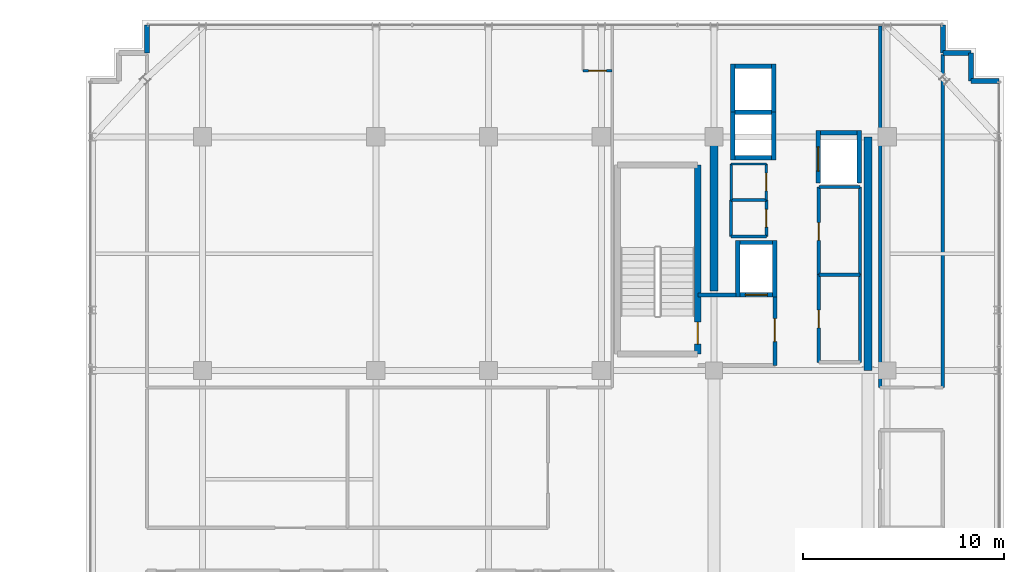
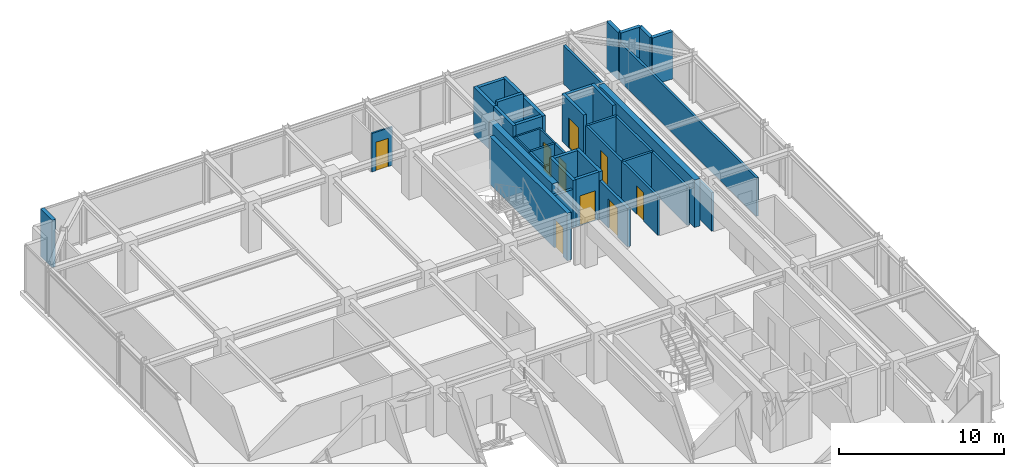
# One storey, part 27 of 31: 40 walls, 9 doors, 9 openings.
"""IFC4 building model written with IfcOpenShell, lengths in metres."""

from ifc_helpers import new_model, si_unit, direction, frame, frame_2d, origin, place, context, subcontext, project, spatial, rectangle, extrude, source, transform, mapped, material, layer, layer_set, type_object, element, fill, save


model = new_model("IFC4")

# Units and contexts
model_context = context("Model", 3, precision=1e-05, world=origin(), true_north=direction((0.0, 1.0)))
body_context = subcontext(model_context, "Body", "Model", "MODEL_VIEW")
ifc_project = project(units=[si_unit("LENGTHUNIT", "METRE"), si_unit("AREAUNIT", "SQUARE_METRE"), si_unit("VOLUMEUNIT", "CUBIC_METRE"), si_unit("PLANEANGLEUNIT", "RADIAN"), si_unit("MASSUNIT", "GRAM", prefix="KILO")], contexts=[model_context])

# Site, building, storey
site_placement = place(None, origin())
site = spatial("IfcSite", under=ifc_project, at=site_placement, CompositionType="ELEMENT")
building_placement = place(site_placement, origin())
building = spatial("IfcBuilding", under=site, at=building_placement, Name="Nahalor Promenade Grand Hotel", CompositionType="ELEMENT")
storey_placement = place(building_placement, frame((0.0, 0.0, 323.35009765625)))
storey = spatial("IfcBuildingStorey", under=building, at=storey_placement, Name="L83", CompositionType="ELEMENT", Elevation=323.35009765625)

# Walls
ifc_material_1 = material(Name="Concrete B-50 (C40/50)", Category="concrete")
ifc_layer_1 = layer(ifc_material_1, 0.39990234375)
ifc_layer_set_1 = layer_set([ifc_layer_1], Name="Concrete B-50 (C40/50)")
wall_type_1 = type_object("IfcWallType", Name="Wall-CoreShear-400", PredefinedType="SHEAR", material=ifc_layer_set_1)
shared_shape_1 = source(origin(), body_context, "Body", "SweptSolid", [
    extrude(rectangle(XDim=7.64990234375, YDim=0.39990234375, at=frame_2d((3.824951171875, 0.0))), origin(), (0.0, 0.0, 1.0), 3.5),
])
wall_1_placement = place(storey_placement, frame((8.39990234375, 9.35009765625, 0.0), z_axis=(0.0, 0.0, 1.0), x_axis=(0.0, 1.0, 0.0)))
element("IfcWall", 1, at=wall_1_placement, inside=storey, type_object=wall_type_1, Name="CWALL-L83-NW", PredefinedType="SHEAR", context=body_context, shape_type="MappedRepresentation", body=[
    mapped(shared_shape_1, transform((0.0, 0.0, 0.0), scale=1.0)),
])
shared_shape_2 = source(origin(), body_context, "Body", "SweptSolid", [
    extrude(rectangle(XDim=11.60009765625, YDim=0.39990234375, at=frame_2d((5.800048828125, 0.0))), origin(), (0.0, 0.0, 1.0), 3.5),
])
wall_2_placement = place(storey_placement, frame((16.050048828125, 5.39990234375, 0.0), z_axis=(0.0, 0.0, 1.0), x_axis=(0.0, 1.0, 0.0)))
element("IfcWall", 2, at=wall_2_placement, inside=storey, type_object=wall_type_1, Name="CWALL-L83-NE", PredefinedType="SHEAR", context=body_context, shape_type="MappedRepresentation", body=[
    mapped(shared_shape_2, transform((0.0, 0.0, 0.0), scale=1.0)),
])

# Wall, opening, door
ifc_layer_2 = layer(ifc_material_1, 0.300048828125)
ifc_layer_set_2 = layer_set([ifc_layer_2], Name="Concrete B-50 (C40/50)")
wall_type_2 = type_object("IfcWallType", Name="Wall-ShaftShear-300", PredefinedType="SHEAR", material=ifc_layer_set_2)
shared_shape_3 = source(origin(), body_context, "Body", "SweptSolid", [
    extrude(rectangle(XDim=9.380126953125, YDim=0.300048828125, at=frame_2d((4.68994140625, 0.0))), origin(), (0.0, 0.0, 1.0), 3.5),
])
wall_3_placement = place(storey_placement, frame((7.590087890625, 6.2099609375, 0.0), z_axis=(0.0, 0.0, 1.0), x_axis=(0.0, 1.0, 0.0)))
wall_3 = element("IfcWall", 3, at=wall_3_placement, inside=storey, type_object=wall_type_2, Name="L83 Exit Stair ST1 Shaft Wall E", PredefinedType="SHEAR", context=body_context, shape_type="MappedRepresentation", body=[
    mapped(shared_shape_3, transform((0.0, 0.0, 0.0), scale=1.0)),
])
opening_1_placement = place(wall_3_placement, frame((0.489990234375, 0.0, 0.0)))
opening_1 = element("IfcOpeningElement", 4, at=opening_1_placement, cuts=wall_3, Name="Opening D-ST1", PredefinedType="OPENING", context=body_context, shape_type="SweptSolid", body=[
    extrude(rectangle(XDim=1.10009765625, YDim=2.14990234375, at=frame_2d((0.550048828125, 1.074951171875))), frame((0.0, 0.159912109375, 0.0), z_axis=(0.0, -1.0, 0.0), x_axis=(1.0, 0.0, 0.0)), (0.0, 0.0, 1.0), 0.320068359375),
])
ifc_material_2 = material(Name="Steel S355JR", Category="steel")
door_type_1 = type_object("IfcDoorType", Name="Door-StairFire-1100", OperationType="NOTDEFINED", PredefinedType="DOOR", material=ifc_material_2)
shared_shape_4 = source(origin(), body_context, "Body", "SweptSolid", [
    extrude(rectangle(XDim=1.10009765625, YDim=2.14990234375, at=frame_2d((0.550048828125, 1.074951171875))), frame((0.0, 0.02490234375, 0.0), z_axis=(0.0, -1.0, 0.0), x_axis=(1.0, 0.0, 0.0)), (0.0, 0.0, 1.0), 0.050048828125),
])
door_1_placement = place(opening_1_placement, origin())
door_1 = element("IfcDoor", 5, at=door_1_placement, inside=storey, type_object=door_type_1, Name="DR-STAIR-ST1-L83", OperationType="SINGLE_SWING_RIGHT", OverallHeight=2.14990234375, OverallWidth=1.10009765625, PredefinedType="DOOR", context=body_context, shape_type="MappedRepresentation", body=[
    mapped(shared_shape_4, transform((0.0, 0.0, 0.0), scale=1.0)),
])
fill(opening_1, door_1)

# Walls
ifc_layer_3 = layer(ifc_material_1, 0.219970703125)
ifc_layer_set_3 = layer_set([ifc_layer_3], Name="Concrete B-50 (C40/50)")
wall_type_3 = type_object("IfcWallType", Name="Wall-LiftShaft-220", PredefinedType="SHEAR", material=ifc_layer_set_3)
shared_shape_5 = source(origin(), body_context, "Body", "SweptSolid", [
    extrude(rectangle(XDim=1.820068359375, YDim=0.219970703125, at=frame_2d((0.91015625, 0.0))), origin(), (0.0, 0.0, 1.0), 3.5),
])
for number, where, z_axis, x_axis, name in (
    (6, (9.43994140625, 15.949951171875, 0.0), (0.0, 0.0, 1.0), (1.0, 0.0, 0.0), "L83 Lift OB1 Hoistway Wall S"),
    (7, (9.43994140625, 20.5, 0.0), (0.0, 0.0, 1.0), (1.0, 0.0, 0.0), "L83 Lift OB2 Hoistway Wall N"),
    (8, (13.68994140625, 17.199951171875, 0.0), (0.0, 0.0, 1.0), (1.0, 0.0, 0.0), "L83 Lift SV1 Hoistway Wall N"),
):
    element("IfcWall", number, at=place(storey_placement, frame(where, z_axis=z_axis, x_axis=x_axis)), inside=storey, type_object=wall_type_3, Name=name, PredefinedType="SHEAR", context=body_context, shape_type="MappedRepresentation", body=[
        mapped(shared_shape_5, transform((0.0, 0.0, 0.0), scale=1.0)),
    ])
shared_shape_6 = source(origin(), body_context, "Body", "SweptSolid", [
    extrude(rectangle(XDim=1.820068359375, YDim=0.219970703125, at=frame_2d((0.91015625, 0.0))), origin(), (0.0, 0.0, 1.0), 3.7998046875),
])
wall_4_placement = place(storey_placement, frame((9.43994140625, 18.22509765625, 0.0), z_axis=(0.0, 0.0, 1.0), x_axis=(1.0, 0.0, 0.0)))
element("IfcWall", 9, at=wall_4_placement, inside=storey, type_object=wall_type_3, Name="L83 Lift OB1 Hoistway Wall N", PredefinedType="SHEAR", context=body_context, shape_type="MappedRepresentation", body=[
    mapped(shared_shape_6, transform((0.0, 0.0, 0.0), scale=1.0)),
])
shared_shape_7 = source(origin(), body_context, "Body", "SweptSolid", [
    extrude(rectangle(XDim=2.385009765625, YDim=0.219970703125, at=frame_2d((1.1923828125, 0.0))), origin(), (0.0, 0.0, 1.0), 3.5),
])
for number, where, z_axis, x_axis, name in (
    (10, (9.330078125, 15.840087890625, 0.0), (0.0, 0.0, 1.0), (0.0, 1.0, 0.0), "L83 Lift OB1 Hoistway Wall W"),
    (11, (11.3701171875, 15.840087890625, 0.0), (0.0, 0.0, 1.0), (0.0, 1.0, 0.0), "L83 Lift OB1 Hoistway Wall E"),
    (12, (9.330078125, 18.22509765625, 0.0), (0.0, 0.0, 1.0), (0.0, 1.0, 0.0), "L83 Lift OB2 Hoistway Wall W"),
    (13, (11.3701171875, 18.22509765625, 0.0), (0.0, 0.0, 1.0), (0.0, 1.0, 0.0), "L83 Lift OB2 Hoistway Wall E"),
):
    element("IfcWall", number, at=place(storey_placement, frame(where, z_axis=z_axis, x_axis=x_axis)), inside=storey, type_object=wall_type_3, Name=name, PredefinedType="SHEAR", context=body_context, shape_type="MappedRepresentation", body=[
        mapped(shared_shape_7, transform((0.0, 0.0, 0.0), scale=1.0)),
    ])
shared_shape_8 = source(origin(), body_context, "Body", "SweptSolid", [
    extrude(rectangle(XDim=2.820068359375, YDim=0.219970703125, at=frame_2d((1.41015625, 0.0))), origin(), (0.0, 0.0, 1.0), 3.5),
])
for number, where, z_axis, x_axis, name in (
    (14, (9.580078125, 9.0400390625, 0.0), (0.0, 0.0, 1.0), (0.0, 1.0, 0.0), "L83 Lift FL1 Hoistway Wall W"),
    (15, (11.419921875, 9.0400390625, 0.0), (0.0, 0.0, 1.0), (0.0, 1.0, 0.0), "L83 Lift FL1 Hoistway Wall E"),
):
    element("IfcWall", number, at=place(storey_placement, frame(where, z_axis=z_axis, x_axis=x_axis)), inside=storey, type_object=wall_type_3, Name=name, PredefinedType="SHEAR", context=body_context, shape_type="MappedRepresentation", body=[
        mapped(shared_shape_8, transform((0.0, 0.0, 0.0), scale=1.0)),
    ])

# Wall, opening, door
shared_shape_9 = source(origin(), body_context, "Body", "SweptSolid", [
    extrude(rectangle(XDim=1.6201171875, YDim=0.219970703125, at=frame_2d((0.81005859375, 0.0))), origin(), (0.0, 0.0, 1.0), 3.5),
])
wall_5_placement = place(storey_placement, frame((9.68994140625, 9.14990234375, 0.0), z_axis=(0.0, 0.0, 1.0), x_axis=(1.0, 0.0, 0.0)))
wall_5 = element("IfcWall", 16, at=wall_5_placement, inside=storey, type_object=wall_type_3, Name="L83 Lift FL1 Hoistway Wall S", PredefinedType="SHEAR", context=body_context, shape_type="MappedRepresentation", body=[
    mapped(shared_shape_9, transform((0.0, 0.0, 0.0), scale=1.0)),
])
opening_2_placement = place(wall_5_placement, frame((0.260009765625, 0.0, 0.0)))
opening_2 = element("IfcOpeningElement", 17, at=opening_2_placement, cuts=wall_5, Name="Opening LD-02", PredefinedType="OPENING", context=body_context, shape_type="SweptSolid", body=[
    extrude(rectangle(XDim=1.10009765625, YDim=2.199951171875, at=frame_2d((0.550048828125, 1.10009765625))), frame((0.0, 0.119873046875, 0.0), z_axis=(0.0, -1.0, 0.0), x_axis=(1.0, 0.0, 0.0)), (0.0, 0.0, 1.0), 0.239990234375),
])
door_type_2 = type_object("IfcDoorType", Name="Door-LiftFF-1100", OperationType="DOUBLE_DOOR_SLIDING", PredefinedType="DOOR", material=ifc_material_2)
shared_shape_10 = source(origin(), body_context, "Body", "SweptSolid", [
    extrude(rectangle(XDim=1.10009765625, YDim=2.199951171875, at=frame_2d((0.550048828125, 1.10009765625))), frame((0.0, 0.02490234375, 0.0), z_axis=(0.0, -1.0, 0.0), x_axis=(1.0, 0.0, 0.0)), (0.0, 0.0, 1.0), 0.050048828125),
])
door_2_placement = place(opening_2_placement, frame((1.10009765625, 0.0, 0.0), z_axis=(0.0, 0.0, 1.0), x_axis=(-1.0, 0.0, 0.0)))
door_2 = element("IfcDoor", 18, at=door_2_placement, inside=storey, type_object=door_type_2, Name="DR-LIFT-FL1-L83", OperationType="DOUBLE_DOOR_SLIDING", OverallHeight=2.199951171875, OverallWidth=1.10009765625, PredefinedType="DOOR", context=body_context, shape_type="MappedRepresentation", body=[
    mapped(shared_shape_10, transform((0.0, 0.0, 0.0), scale=1.0)),
])
fill(opening_2, door_2)

# Wall
wall_6_placement = place(storey_placement, frame((9.68994140625, 11.75, 0.0), z_axis=(0.0, 0.0, 1.0), x_axis=(1.0, 0.0, 0.0)))
element("IfcWall", 19, at=wall_6_placement, inside=storey, type_object=wall_type_3, Name="L83 Lift FL1 Hoistway Wall N", PredefinedType="SHEAR", context=body_context, shape_type="MappedRepresentation", body=[
    mapped(shared_shape_9, transform((0.0, 0.0, 0.0), scale=1.0)),
])

# Wall, opening, door
shared_shape_11 = source(origin(), body_context, "Body", "SweptSolid", [
    extrude(rectangle(XDim=2.610107421875, YDim=0.219970703125, at=frame_2d((1.30517578125, 0.0))), origin(), (0.0, 0.0, 1.0), 3.5),
])
wall_7_placement = place(storey_placement, frame((13.580078125, 14.699951171875, 0.0), z_axis=(0.0, 0.0, 1.0), x_axis=(0.0, 1.0, 0.0)))
wall_7 = element("IfcWall", 20, at=wall_7_placement, inside=storey, type_object=wall_type_3, Name="L83 Lift SV1 Hoistway Wall W", PredefinedType="SHEAR", context=body_context, shape_type="MappedRepresentation", body=[
    mapped(shared_shape_11, transform((0.0, 0.0, 0.0), scale=1.0)),
])
opening_3_placement = place(wall_7_placement, frame((0.60009765625, 0.0, 0.0)))
opening_3 = element("IfcOpeningElement", 21, at=opening_3_placement, cuts=wall_7, Name="Opening LD-03", PredefinedType="OPENING", context=body_context, shape_type="SweptSolid", body=[
    extrude(rectangle(XDim=1.199951171875, YDim=2.199951171875, at=frame_2d((0.60009765625, 1.10009765625))), frame((0.0, 0.119873046875, 0.0), z_axis=(0.0, -1.0, 0.0), x_axis=(1.0, 0.0, 0.0)), (0.0, 0.0, 1.0), 0.239990234375),
])
door_type_3 = type_object("IfcDoorType", Name="Door-LiftService-1200", OperationType="DOUBLE_DOOR_SLIDING", PredefinedType="DOOR", material=ifc_material_2)
shared_shape_12 = source(origin(), body_context, "Body", "SweptSolid", [
    extrude(rectangle(XDim=1.199951171875, YDim=2.199951171875, at=frame_2d((0.60009765625, 1.10009765625))), frame((0.0, 0.02490234375, 0.0), z_axis=(0.0, -1.0, 0.0), x_axis=(1.0, 0.0, 0.0)), (0.0, 0.0, 1.0), 0.050048828125),
])
door_3_placement = place(opening_3_placement, origin())
door_3 = element("IfcDoor", 22, at=door_3_placement, inside=storey, type_object=door_type_3, Name="DR-LIFT-SV1-L83", OperationType="DOUBLE_DOOR_SLIDING", OverallHeight=2.199951171875, OverallWidth=1.199951171875, PredefinedType="DOOR", context=body_context, shape_type="MappedRepresentation", body=[
    mapped(shared_shape_12, transform((0.0, 0.0, 0.0), scale=1.0)),
])
fill(opening_3, door_3)

# Walls
wall_8_placement = place(storey_placement, frame((15.6201171875, 14.699951171875, 0.0), z_axis=(0.0, 0.0, 1.0), x_axis=(0.0, 1.0, 0.0)))
element("IfcWall", 23, at=wall_8_placement, inside=storey, type_object=wall_type_3, Name="L83 Lift SV1 Hoistway Wall E", PredefinedType="SHEAR", context=body_context, shape_type="MappedRepresentation", body=[
    mapped(shared_shape_11, transform((0.0, 0.0, 0.0), scale=1.0)),
])
ifc_material_3 = material(Name="Concrete B-40 (C32/40)", Category="concrete")
ifc_layer_4 = layer(ifc_material_3, 0.25)
ifc_layer_set_4 = layer_set([ifc_layer_4], Name="Concrete B-40 (C32/40)")
wall_type_4 = type_object("IfcWallType", Name="Wall-BronzePier-250", PredefinedType="STANDARD", material=ifc_layer_set_4)
shared_shape_13 = source(origin(), body_context, "Body", "SweptSolid", [
    extrude(rectangle(XDim=1.400146484375, YDim=0.25, at=frame_2d((0.7001953125, 0.0))), origin(), (0.0, 0.0, 1.0), 3.5),
])
for number, where, z_axis, x_axis, name in (
    (24, (21.159912109375, 19.760009765625, 0.0), (0.0, 0.0, 1.0), (1.0, 0.0, 0.0), "W-L83-SR-05"),
    (25, (19.760009765625, 21.159912109375, 0.0), (0.0, 0.0, 1.0), (0.0, 1.0, 0.0), "W-L83-SR-08"),
    (26, (-19.760009765625, 21.159912109375, 0.0), (0.0, 0.0, 1.0), (0.0, 1.0, 0.0), "W-L83-SR-09"),
):
    element("IfcWall", number, at=place(storey_placement, frame(where, z_axis=z_axis, x_axis=x_axis)), inside=storey, type_object=wall_type_4, Name=name, PredefinedType="STANDARD", context=body_context, shape_type="MappedRepresentation", body=[
        mapped(shared_shape_13, transform((0.0, 0.0, 0.0), scale=1.0)),
    ])
shared_shape_14 = source(origin(), body_context, "Body", "SweptSolid", [
    extrude(rectangle(XDim=1.39990234375, YDim=0.25, at=frame_2d((0.699951171875, 0.0))), origin(), (0.0, 0.0, 1.0), 3.5),
])
for number, where, z_axis, x_axis, name in (
    (27, (21.159912109375, 19.760009765625, 0.0), (0.0, 0.0, 1.0), (0.0, 1.0, 0.0), "W-L83-SR-06"),
    (28, (19.760009765625, 21.159912109375, 0.0), (0.0, 0.0, 1.0), (1.0, 0.0, 0.0), "W-L83-SR-07"),
):
    element("IfcWall", number, at=place(storey_placement, frame(where, z_axis=z_axis, x_axis=x_axis)), inside=storey, type_object=wall_type_4, Name=name, PredefinedType="STANDARD", context=body_context, shape_type="MappedRepresentation", body=[
        mapped(shared_shape_14, transform((0.0, 0.0, 0.0), scale=1.0)),
    ])
ifc_layer_5 = layer(ifc_material_3, 0.199951171875)
ifc_layer_set_5 = layer_set([ifc_layer_5], Name="Concrete B-40 (C32/40)")
wall_type_5 = type_object("IfcWallType", Name="Wall-PartFire-200", PredefinedType="PARTITIONING", material=ifc_layer_set_5)
shared_shape_15 = source(origin(), body_context, "Body", "SweptSolid", [
    extrude(rectangle(XDim=1.89990234375, YDim=0.199951171875, at=frame_2d((0.949951171875, 0.0))), origin(), (0.0, 0.0, 1.0), 2.83984375),
])
wall_9_placement = place(storey_placement, frame((7.60009765625, 9.14990234375, 0.0), z_axis=(0.0, 0.0, 1.0), x_axis=(1.0, 0.0, 0.0)))
element("IfcWall", 29, at=wall_9_placement, inside=storey, type_object=wall_type_5, Name="W-L83-FF1-N", PredefinedType="PARTITIONING", context=body_context, shape_type="MappedRepresentation", body=[
    mapped(shared_shape_15, transform((0.0, 0.0, 0.0), scale=1.0)),
])

# Wall, opening, door
shared_shape_16 = source(origin(), body_context, "Body", "SweptSolid", [
    extrude(rectangle(XDim=3.5, YDim=0.199951171875, at=frame_2d((1.75, 0.0))), origin(), (0.0, 0.0, 1.0), 2.83984375),
])
wall_10_placement = place(storey_placement, frame((11.419921875, 5.64990234375, 0.0), z_axis=(0.0, 0.0, 1.0), x_axis=(0.0, 1.0, 0.0)))
wall_10 = element("IfcWall", 30, at=wall_10_placement, inside=storey, type_object=wall_type_5, Name="W-L83-FF1-E", PredefinedType="PARTITIONING", context=body_context, shape_type="MappedRepresentation", body=[
    mapped(shared_shape_16, transform((0.0, 0.0, 0.0), scale=1.0)),
])
opening_4_placement = place(wall_10_placement, frame((1.175048828125, 0.0, 0.0)))
opening_4 = element("IfcOpeningElement", 31, at=opening_4_placement, cuts=wall_10, Name="Opening D-FF1", PredefinedType="OPENING", context=body_context, shape_type="SweptSolid", body=[
    extrude(rectangle(XDim=1.14990234375, YDim=2.14990234375, at=frame_2d((0.574951171875, 1.074951171875))), frame((0.0, 0.10986328125, 0.0), z_axis=(0.0, -1.0, 0.0), x_axis=(1.0, 0.0, 0.0)), (0.0, 0.0, 1.0), 0.219970703125),
])
door_type_4 = type_object("IfcDoorType", Name="Door-FFLobby-1150", OperationType="NOTDEFINED", PredefinedType="DOOR", material=ifc_material_2)
shared_shape_17 = source(origin(), body_context, "Body", "SweptSolid", [
    extrude(rectangle(XDim=1.14990234375, YDim=2.14990234375, at=frame_2d((0.574951171875, 1.074951171875))), frame((0.0, 0.02490234375, 0.0), z_axis=(0.0, -1.0, 0.0), x_axis=(1.0, 0.0, 0.0)), (0.0, 0.0, 1.0), 0.050048828125),
])
door_4_placement = place(opening_4_placement, frame((1.14990234375, 0.0, 0.0), z_axis=(0.0, 0.0, 1.0), x_axis=(-1.0, 0.0, 0.0)))
door_4 = element("IfcDoor", 32, at=door_4_placement, inside=storey, type_object=door_type_4, Name="DR-L83-FFL1", OperationType="SINGLE_SWING_RIGHT", OverallHeight=2.14990234375, OverallWidth=1.14990234375, PredefinedType="DOOR", context=body_context, shape_type="MappedRepresentation", body=[
    mapped(shared_shape_17, transform((0.0, 0.0, 0.0), scale=1.0)),
])
fill(opening_4, door_4)

# Walls
ifc_material_4 = material(Name="Acoustic Mineral Gypsum", Category="gypsum")
ifc_layer_6 = layer(ifc_material_4, 0.14990234375)
ifc_layer_set_6 = layer_set([ifc_layer_6], Name="Acoustic Mineral Gypsum")
wall_type_6 = type_object("IfcWallType", Name="Wall-PartService-150", PredefinedType="PARTITIONING", material=ifc_layer_set_6)
shared_shape_18 = source(origin(), body_context, "Body", "SweptSolid", [
    extrude(rectangle(XDim=1.75, YDim=0.14990234375, at=frame_2d((0.875, 0.0))), origin(), (0.0, 0.0, 1.0), 2.83984375),
])
for number, where, z_axis, x_axis, name in (
    (33, (9.25, 12.050048828125, 0.0), (0.0, 0.0, 1.0), (1.0, 0.0, 0.0), "W-L83-CK2A-S"),
    (34, (9.25, 13.85009765625, 0.0), (0.0, 0.0, 1.0), (1.0, 0.0, 0.0), "W-L83-CK2A-N"),
):
    element("IfcWall", number, at=place(storey_placement, frame(where, z_axis=z_axis, x_axis=x_axis)), inside=storey, type_object=wall_type_6, Name=name, PredefinedType="PARTITIONING", context=body_context, shape_type="MappedRepresentation", body=[
        mapped(shared_shape_18, transform((0.0, 0.0, 0.0), scale=1.0)),
    ])
ifc_layer_7 = layer(ifc_material_4, 0.159912109375)
ifc_layer_set_7 = layer_set([ifc_layer_7], Name="Acoustic Mineral Gypsum")
wall_type_7 = type_object("IfcWallType", Name="Wall-PartCorridor-160", PredefinedType="PARTITIONING", material=ifc_layer_set_7)
shared_shape_19 = source(origin(), body_context, "Body", "SweptSolid", [
    extrude(rectangle(XDim=2.0498046875, YDim=0.159912109375, at=frame_2d((1.02490234375, 0.0))), origin(), (0.0, 0.0, 1.0), 2.83984375),
])
for number, where, z_axis, x_axis, name in (
    (35, (13.60009765625, 10.14990234375, 0.0), (0.0, 0.0, 1.0), (1.0, 0.0, 0.0), "W-L83-FRB1A-N"),
    (36, (13.60009765625, 14.5, 0.0), (0.0, 0.0, 1.0), (1.0, 0.0, 0.0), "W-L83-FRB1B-N"),
):
    element("IfcWall", number, at=place(storey_placement, frame(where, z_axis=z_axis, x_axis=x_axis)), inside=storey, type_object=wall_type_7, Name=name, PredefinedType="PARTITIONING", context=body_context, shape_type="MappedRepresentation", body=[
        mapped(shared_shape_19, transform((0.0, 0.0, 0.0), scale=1.0)),
    ])
shared_shape_20 = source(origin(), body_context, "Body", "SweptSolid", [
    extrude(rectangle(XDim=17.949951171875, YDim=0.159912109375, at=frame_2d((8.97509765625, 0.0))), origin(), (0.0, 0.0, 1.0), 2.83984375),
])
wall_11_placement = place(storey_placement, frame((16.64990234375, 4.550048828125, 0.0), z_axis=(0.0, 0.0, 1.0), x_axis=(0.0, 1.0, 0.0)))
element("IfcWall", 37, at=wall_11_placement, inside=storey, type_object=wall_type_7, Name="W-L83-ENE-W", PredefinedType="PARTITIONING", context=body_context, shape_type="MappedRepresentation", body=[
    mapped(shared_shape_20, transform((0.0, 0.0, 0.0), scale=1.0)),
])
shared_shape_21 = source(origin(), body_context, "Body", "SweptSolid", [
    extrude(rectangle(XDim=16.530029296875, YDim=0.159912109375, at=frame_2d((8.26513671875, 0.0))), origin(), (0.0, 0.0, 1.0), 2.83984375),
])
wall_12_placement = place(storey_placement, frame((19.760009765625, 4.550048828125, 0.0), z_axis=(0.0, 0.0, 1.0), x_axis=(0.0, 1.0, 0.0)))
element("IfcWall", 38, at=wall_12_placement, inside=storey, type_object=wall_type_7, Name="W-L83-ENE-E", PredefinedType="PARTITIONING", context=body_context, shape_type="MappedRepresentation", body=[
    mapped(shared_shape_21, transform((0.0, 0.0, 0.0), scale=1.0)),
])
shared_shape_22 = source(origin(), body_context, "Body", "SweptSolid", [
    extrude(rectangle(XDim=1.800048828125, YDim=0.14990234375, at=frame_2d((0.89990234375, 0.0))), origin(), (0.0, 0.0, 1.0), 2.83984375),
])
wall_13_placement = place(storey_placement, frame((9.25, 12.050048828125, 0.0), z_axis=(0.0, 0.0, 1.0), x_axis=(0.0, 1.0, 0.0)))
element("IfcWall", 39, at=wall_13_placement, inside=storey, type_object=wall_type_6, Name="W-L83-CK2A-W", PredefinedType="PARTITIONING", context=body_context, shape_type="MappedRepresentation", body=[
    mapped(shared_shape_22, transform((0.0, 0.0, 0.0), scale=1.0)),
])

# Wall, opening, door
wall_14_placement = place(storey_placement, frame((11.0, 12.050048828125, 0.0), z_axis=(0.0, 0.0, 1.0), x_axis=(0.0, 1.0, 0.0)))
wall_14 = element("IfcWall", 40, at=wall_14_placement, inside=storey, type_object=wall_type_6, Name="W-L83-CK2A-E", PredefinedType="PARTITIONING", context=body_context, shape_type="MappedRepresentation", body=[
    mapped(shared_shape_22, transform((0.0, 0.0, 0.0), scale=1.0)),
])
opening_5_placement = place(wall_14_placement, frame((0.4599609375, 0.0, 0.0)))
opening_5 = element("IfcOpeningElement", 41, at=opening_5_placement, cuts=wall_14, Name="Opening D-03", PredefinedType="OPENING", context=body_context, shape_type="SweptSolid", body=[
    extrude(rectangle(XDim=0.8798828125, YDim=2.10009765625, at=frame_2d((0.43994140625, 1.050048828125))), frame((0.0, 0.0849609375, 0.0), z_axis=(0.0, -1.0, 0.0), x_axis=(1.0, 0.0, 0.0)), (0.0, 0.0, 1.0), 0.169921875),
])
ifc_material_5 = material(Name="Fire-Rated Timber Composite", Category="wood")
door_type_5 = type_object("IfcDoorType", Name="Door-BathSwing-880", OperationType="NOTDEFINED", PredefinedType="DOOR", material=ifc_material_5)
shared_shape_23 = source(origin(), body_context, "Body", "SweptSolid", [
    extrude(rectangle(XDim=0.8798828125, YDim=2.10009765625, at=frame_2d((0.43994140625, 1.050048828125))), frame((0.0, 0.02490234375, 0.0), z_axis=(0.0, -1.0, 0.0), x_axis=(1.0, 0.0, 0.0)), (0.0, 0.0, 1.0), 0.050048828125),
])
door_5_placement = place(opening_5_placement, origin())
door_5 = element("IfcDoor", 42, at=door_5_placement, inside=storey, type_object=door_type_5, Name="DR-L83-CK2A", OperationType="SINGLE_SWING_RIGHT", OverallHeight=2.10009765625, OverallWidth=0.8798828125, PredefinedType="DOOR", context=body_context, shape_type="MappedRepresentation", body=[
    mapped(shared_shape_23, transform((0.0, 0.0, 0.0), scale=1.0)),
])
fill(opening_5, door_5)

# Walls
ifc_layer_8 = layer(ifc_material_4, 0.1201171875)
ifc_layer_set_8 = layer_set([ifc_layer_8], Name="Acoustic Mineral Gypsum")
wall_type_8 = type_object("IfcWallType", Name="Wall-PartBath-120", PredefinedType="PARTITIONING", material=ifc_layer_set_8)
shared_shape_24 = source(origin(), body_context, "Body", "SweptSolid", [
    extrude(rectangle(XDim=1.75, YDim=0.1201171875, at=frame_2d((0.875, 0.0))), origin(), (0.0, 0.0, 1.0), 2.83984375),
])
wall_15_placement = place(storey_placement, frame((9.25, 15.64990234375, 0.0), z_axis=(0.0, 0.0, 1.0), x_axis=(1.0, 0.0, 0.0)))
element("IfcWall", 43, at=wall_15_placement, inside=storey, type_object=wall_type_8, Name="W-L83-CK2B-N", PredefinedType="PARTITIONING", context=body_context, shape_type="MappedRepresentation", body=[
    mapped(shared_shape_24, transform((0.0, 0.0, 0.0), scale=1.0)),
])
shared_shape_25 = source(origin(), body_context, "Body", "SweptSolid", [
    extrude(rectangle(XDim=1.7998046875, YDim=0.1201171875, at=frame_2d((0.89990234375, 0.0))), origin(), (0.0, 0.0, 1.0), 2.83984375),
])
wall_16_placement = place(storey_placement, frame((9.25, 13.85009765625, 0.0), z_axis=(0.0, 0.0, 1.0), x_axis=(0.0, 1.0, 0.0)))
element("IfcWall", 44, at=wall_16_placement, inside=storey, type_object=wall_type_8, Name="W-L83-CK2B-W", PredefinedType="PARTITIONING", context=body_context, shape_type="MappedRepresentation", body=[
    mapped(shared_shape_25, transform((0.0, 0.0, 0.0), scale=1.0)),
])

# Wall, opening, door
wall_17_placement = place(storey_placement, frame((11.0, 13.85009765625, 0.0), z_axis=(0.0, 0.0, 1.0), x_axis=(0.0, 1.0, 0.0)))
wall_17 = element("IfcWall", 45, at=wall_17_placement, inside=storey, type_object=wall_type_8, Name="W-L83-CK2B-E", PredefinedType="PARTITIONING", context=body_context, shape_type="MappedRepresentation", body=[
    mapped(shared_shape_25, transform((0.0, 0.0, 0.0), scale=1.0)),
])
opening_6_placement = place(wall_17_placement, frame((0.4599609375, 0.0, 0.0)))
opening_6 = element("IfcOpeningElement", 46, at=opening_6_placement, cuts=wall_17, Name="Opening D-03", PredefinedType="OPENING", context=body_context, shape_type="SweptSolid", body=[
    extrude(rectangle(XDim=0.8798828125, YDim=2.10009765625, at=frame_2d((0.43994140625, 1.050048828125))), frame((0.0, 0.070068359375, 0.0), z_axis=(0.0, -1.0, 0.0), x_axis=(1.0, 0.0, 0.0)), (0.0, 0.0, 1.0), 0.14013671875),
])
door_6_placement = place(opening_6_placement, origin())
door_6 = element("IfcDoor", 47, at=door_6_placement, inside=storey, type_object=door_type_5, Name="DR-L83-CK2B", OperationType="SINGLE_SWING_LEFT", OverallHeight=2.10009765625, OverallWidth=0.8798828125, PredefinedType="DOOR", context=body_context, shape_type="MappedRepresentation", body=[
    mapped(shared_shape_23, transform((0.0, 0.0, 0.0), scale=1.0)),
])
fill(opening_6, door_6)

shared_shape_26 = source(origin(), body_context, "Body", "SweptSolid", [
    extrude(rectangle(XDim=4.349853515625, YDim=0.159912109375, at=frame_2d((2.1748046875, 0.0))), origin(), (0.0, 0.0, 1.0), 2.83984375),
])
wall_18_placement = place(storey_placement, frame((13.60009765625, 5.800048828125, 0.0), z_axis=(0.0, 0.0, 1.0), x_axis=(0.0, 1.0, 0.0)))
wall_18 = element("IfcWall", 48, at=wall_18_placement, inside=storey, type_object=wall_type_7, Name="W-L83-FRB1A-W", PredefinedType="PARTITIONING", context=body_context, shape_type="MappedRepresentation", body=[
    mapped(shared_shape_26, transform((0.0, 0.0, 0.0), scale=1.0)),
])
opening_7_placement = place(wall_18_placement, frame((1.7099609375, 0.0, 0.0)))
opening_7 = element("IfcOpeningElement", 49, at=opening_7_placement, cuts=wall_18, Name="Opening D-03", PredefinedType="OPENING", context=body_context, shape_type="SweptSolid", body=[
    extrude(rectangle(XDim=0.8798828125, YDim=2.10009765625, at=frame_2d((0.43994140625, 1.050048828125))), frame((0.0, 0.08984375, 0.0), z_axis=(0.0, -1.0, 0.0), x_axis=(1.0, 0.0, 0.0)), (0.0, 0.0, 1.0), 0.179931640625),
])
door_7_placement = place(opening_7_placement, frame((0.8798828125, 0.0, 0.0), z_axis=(0.0, 0.0, 1.0), x_axis=(-1.0, 0.0, 0.0)))
door_7 = element("IfcDoor", 50, at=door_7_placement, inside=storey, type_object=door_type_5, Name="DR-L83-FRB1A", OperationType="SINGLE_SWING_RIGHT", OverallHeight=2.10009765625, OverallWidth=0.8798828125, PredefinedType="DOOR", context=body_context, shape_type="MappedRepresentation", body=[
    mapped(shared_shape_23, transform((0.0, 0.0, 0.0), scale=1.0)),
])
fill(opening_7, door_7)

# Wall
wall_19_placement = place(storey_placement, frame((15.64990234375, 5.800048828125, 0.0), z_axis=(0.0, 0.0, 1.0), x_axis=(0.0, 1.0, 0.0)))
element("IfcWall", 51, at=wall_19_placement, inside=storey, type_object=wall_type_7, Name="W-L83-FRB1A-E", PredefinedType="PARTITIONING", context=body_context, shape_type="MappedRepresentation", body=[
    mapped(shared_shape_26, transform((0.0, 0.0, 0.0), scale=1.0)),
])

# Wall, opening, door
shared_shape_27 = source(origin(), body_context, "Body", "SweptSolid", [
    extrude(rectangle(XDim=4.35009765625, YDim=0.159912109375, at=frame_2d((2.175048828125, 0.0))), origin(), (0.0, 0.0, 1.0), 2.83984375),
])
wall_20_placement = place(storey_placement, frame((13.60009765625, 10.14990234375, 0.0), z_axis=(0.0, 0.0, 1.0), x_axis=(0.0, 1.0, 0.0)))
wall_20 = element("IfcWall", 52, at=wall_20_placement, inside=storey, type_object=wall_type_7, Name="W-L83-FRB1B-W", PredefinedType="PARTITIONING", context=body_context, shape_type="MappedRepresentation", body=[
    mapped(shared_shape_27, transform((0.0, 0.0, 0.0), scale=1.0)),
])
opening_8_placement = place(wall_20_placement, frame((1.7099609375, 0.0, 0.0)))
opening_8 = element("IfcOpeningElement", 53, at=opening_8_placement, cuts=wall_20, Name="Opening D-03", PredefinedType="OPENING", context=body_context, shape_type="SweptSolid", body=[
    extrude(rectangle(XDim=0.8798828125, YDim=2.10009765625, at=frame_2d((0.43994140625, 1.050048828125))), frame((0.0, 0.08984375, 0.0), z_axis=(0.0, -1.0, 0.0), x_axis=(1.0, 0.0, 0.0)), (0.0, 0.0, 1.0), 0.179931640625),
])
door_8_placement = place(opening_8_placement, frame((0.8798828125, 0.0, 0.0), z_axis=(0.0, 0.0, 1.0), x_axis=(-1.0, 0.0, 0.0)))
door_8 = element("IfcDoor", 54, at=door_8_placement, inside=storey, type_object=door_type_5, Name="DR-L83-FRB1B", OperationType="SINGLE_SWING_LEFT", OverallHeight=2.10009765625, OverallWidth=0.8798828125, PredefinedType="DOOR", context=body_context, shape_type="MappedRepresentation", body=[
    mapped(shared_shape_23, transform((0.0, 0.0, 0.0), scale=1.0)),
])
fill(opening_8, door_8)

# Wall
wall_21_placement = place(storey_placement, frame((15.64990234375, 10.14990234375, 0.0), z_axis=(0.0, 0.0, 1.0), x_axis=(0.0, 1.0, 0.0)))
element("IfcWall", 55, at=wall_21_placement, inside=storey, type_object=wall_type_7, Name="W-L83-FRB1B-E", PredefinedType="PARTITIONING", context=body_context, shape_type="MappedRepresentation", body=[
    mapped(shared_shape_27, transform((0.0, 0.0, 0.0), scale=1.0)),
])

# Wall, opening, door
shared_shape_28 = source(origin(), body_context, "Body", "SweptSolid", [
    extrude(rectangle(XDim=1.4501953125, YDim=0.1201171875, at=frame_2d((0.72509765625, 0.0))), origin(), (0.0, 0.0, 1.0), 2.83984375),
])
wall_22_placement = place(storey_placement, frame((1.889892578125, 20.280029296875, 0.0), z_axis=(0.0, 0.0, 1.0), x_axis=(1.0, 0.0, 0.0)))
wall_22 = element("IfcWall", 56, at=wall_22_placement, inside=storey, type_object=wall_type_8, Name="W-L83-N1-BH", PredefinedType="PARTITIONING", context=body_context, shape_type="MappedRepresentation", body=[
    mapped(shared_shape_28, transform((0.0, 0.0, 0.0), scale=1.0)),
])
opening_9_placement = place(wall_22_placement, frame((0.284912109375, 0.0, 0.0)))
opening_9 = element("IfcOpeningElement", 57, at=opening_9_placement, cuts=wall_22, Name="Opening D-03", PredefinedType="OPENING", context=body_context, shape_type="SweptSolid", body=[
    extrude(rectangle(XDim=0.8798828125, YDim=2.10009765625, at=frame_2d((0.43994140625, 1.050048828125))), frame((0.0, 0.070068359375, 0.0), z_axis=(0.0, -1.0, 0.0), x_axis=(1.0, 0.0, 0.0)), (0.0, 0.0, 1.0), 0.14013671875),
])
door_9_placement = place(opening_9_placement, origin())
door_9 = element("IfcDoor", 58, at=door_9_placement, inside=storey, type_object=door_type_5, Name="DR-L83-N1-BATH", OperationType="SINGLE_SWING_RIGHT", OverallHeight=2.10009765625, OverallWidth=0.8798828125, PredefinedType="DOOR", context=body_context, shape_type="MappedRepresentation", body=[
    mapped(shared_shape_23, transform((0.0, 0.0, 0.0), scale=1.0)),
])
fill(opening_9, door_9)

save(model, "model.ifc")
